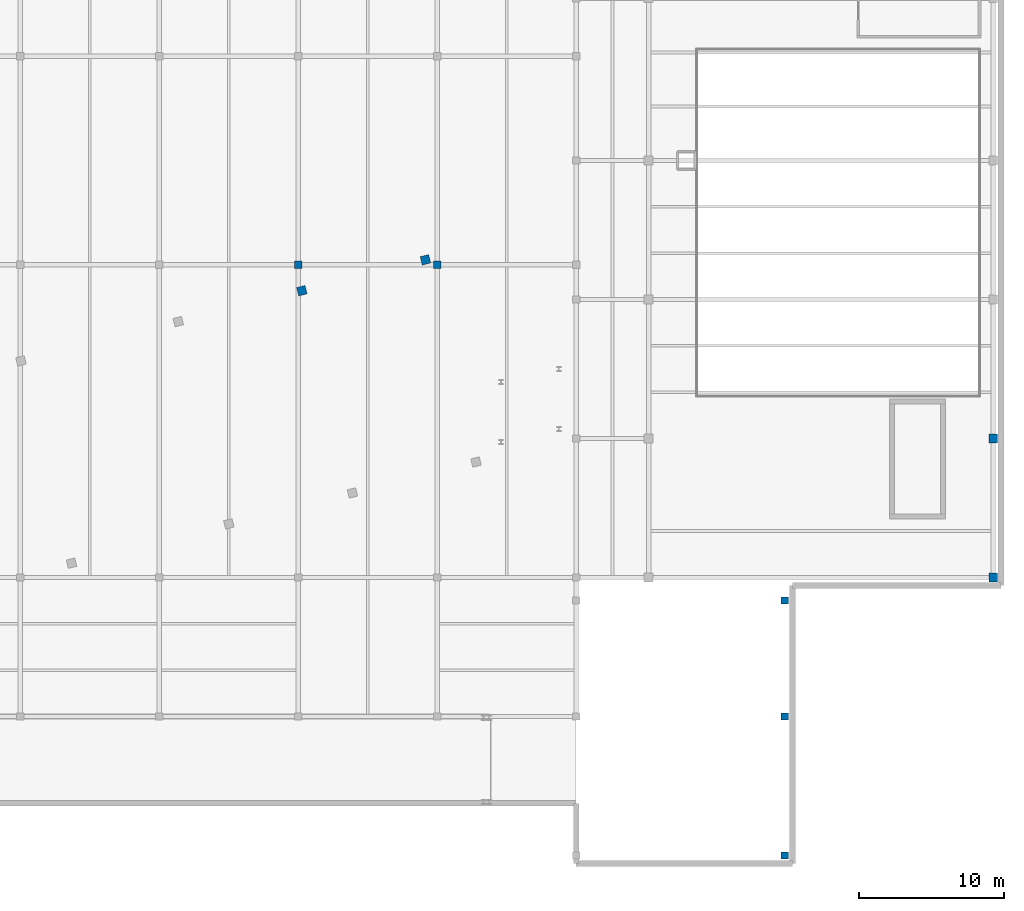
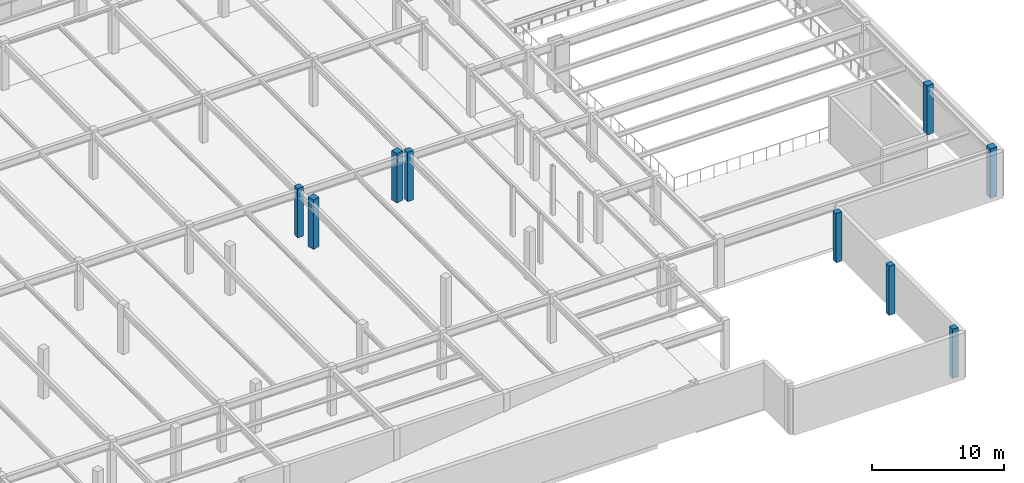
# One storey, part 6 of 32: 9 columns.
"""IFC4 building model written with IfcOpenShell, lengths in metres."""

from ifc_helpers import new_model, si_unit, direction, frame, origin, origin_2d, place, context, subcontext, project, spatial, rectangle, extrude, material, material_profile, profile_set, type_object, element, save


model = new_model("IFC4")

# Units and contexts
model_context = context("Model", 3, precision=1e-05, world=origin(), true_north=direction((0.0, 1.0)))
body_context = subcontext(model_context, "Body", "Model", "MODEL_VIEW")
ifc_project = project(units=[si_unit("LENGTHUNIT", "METRE"), si_unit("AREAUNIT", "SQUARE_METRE"), si_unit("VOLUMEUNIT", "CUBIC_METRE"), si_unit("PLANEANGLEUNIT", "RADIAN"), si_unit("MASSUNIT", "GRAM", prefix="KILO")], contexts=[model_context])

# Site, building, storey
site_placement = place(None, origin())
site = spatial("IfcSite", under=ifc_project, at=site_placement, CompositionType="ELEMENT")
building_placement = place(site_placement, origin())
building = spatial("IfcBuilding", under=site, at=building_placement, Name="Nordkorset Police Headquarters", CompositionType="ELEMENT")
storey_placement = place(building_placement, frame((0.0, 0.0, -4.550048828125)))
storey = spatial("IfcBuildingStorey", under=building, at=storey_placement, Name="B01", CompositionType="ELEMENT", Elevation=-4.550048828125)

# Columns
ifc_material_1 = material(Name="Concrete C45/55", Category="concrete")
ifc_material_profile_1 = material_profile(ifc_material_1, rectangle(XDim=0.5, YDim=0.5, at=origin_2d()), Name="RC 500x500")
ifc_profile_set_1 = profile_set([ifc_material_profile_1], Name="Concrete C45/55")
column_type_1 = type_object("IfcColumnType", Name="Col_RC_500x500", PredefinedType="COLUMN", material=ifc_profile_set_1)
for number, where, z_axis, x_axis, name in (
    (1, (67.199951171875, 69.60009765625, 0.0), (0.0, 0.0, 1.0), (1.0, 0.0, 0.0), "Structural Column SUB_C_4_2 B01"),
    (2, (76.800048828125, 69.60009765625, 0.0), (0.0, 0.0, 1.0), (1.0, 0.0, 0.0), "Structural Column SUB_C_5_2 B01"),
    (3, (100.800048828125, 28.800048828125, 0.0), (0.0, 0.0, 1.0), (1.0, 0.0, 0.0), "Structural Column V7_EC_1_288 B01"),
    (4, (100.800048828125, 38.39990234375, 0.0), (0.0, 0.0, 1.0), (1.0, 0.0, 0.0), "Structural Column V7_EC_1_384 B01"),
    (5, (100.800048828125, 46.39990234375, 0.0), (0.0, 0.0, 1.0), (1.0, 0.0, 0.0), "Structural Column V7_EC_1_464 B01"),
):
    element("IfcColumn", number, at=place(storey_placement, frame(where, z_axis=z_axis, x_axis=x_axis)), inside=storey, type_object=column_type_1, Name=name, PredefinedType="COLUMN", context=body_context, shape_type="SweptSolid", body=[
        extrude(rectangle(XDim=0.5, YDim=0.5, at=origin_2d()), origin(), (0.0, 0.0, 1.0), 4.550048828125),
    ])
ifc_material_2 = material(Name="Concrete C45/55", Category="concrete")
ifc_material_profile_2 = material_profile(ifc_material_2, rectangle(XDim=0.60009765625, YDim=0.60009765625, at=origin_2d()), Name="RC 600x600")
ifc_profile_set_2 = profile_set([ifc_material_profile_2], Name="Concrete C45/55")
column_type_2 = type_object("IfcColumnType", Name="Col_RC_600x600", PredefinedType="COLUMN", material=ifc_profile_set_2)
for number, where, z_axis, x_axis, name in (
    (6, (115.199951171875, 48.0, 0.0), (0.0, 0.0, 1.0), (1.0, 0.0, 0.0), "Structural Column V5_X2_0 B01"),
    (7, (115.199951171875, 57.60009765625, 0.0), (0.0, 0.0, 1.0), (1.0, 0.0, 0.0), "Structural Column V5_X2_1 B01"),
    (8, (67.450439453125, 67.805908203125, 0.0), (0.0, 0.0, 1.0), (0.970142500145, 0.242535625038, 0.0), "Structural Column V4_U5_V1 B01"),
    (9, (75.98779296875, 69.940185546875, 0.0), (0.0, 0.0, 1.0), (0.970142500145, 0.242535625038, 0.0), "Structural Column V4_U6_V1 B01"),
):
    element("IfcColumn", number, at=place(storey_placement, frame(where, z_axis=z_axis, x_axis=x_axis)), inside=storey, type_object=column_type_2, Name=name, PredefinedType="COLUMN", context=body_context, shape_type="SweptSolid", body=[
        extrude(rectangle(XDim=0.60009765625, YDim=0.60009765625, at=origin_2d()), origin(), (0.0, 0.0, 1.0), 4.550048828125),
    ])

save(model, "model.ifc")
